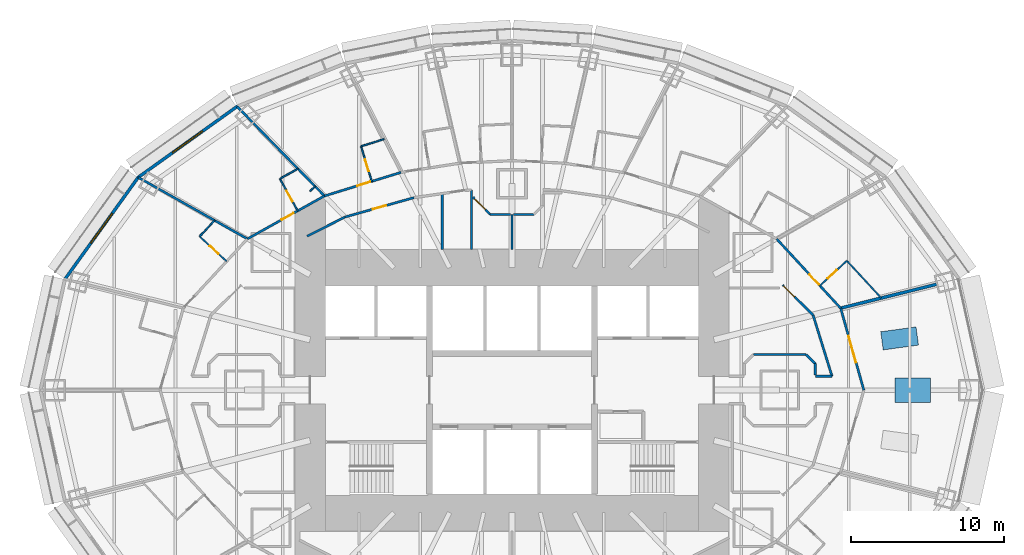
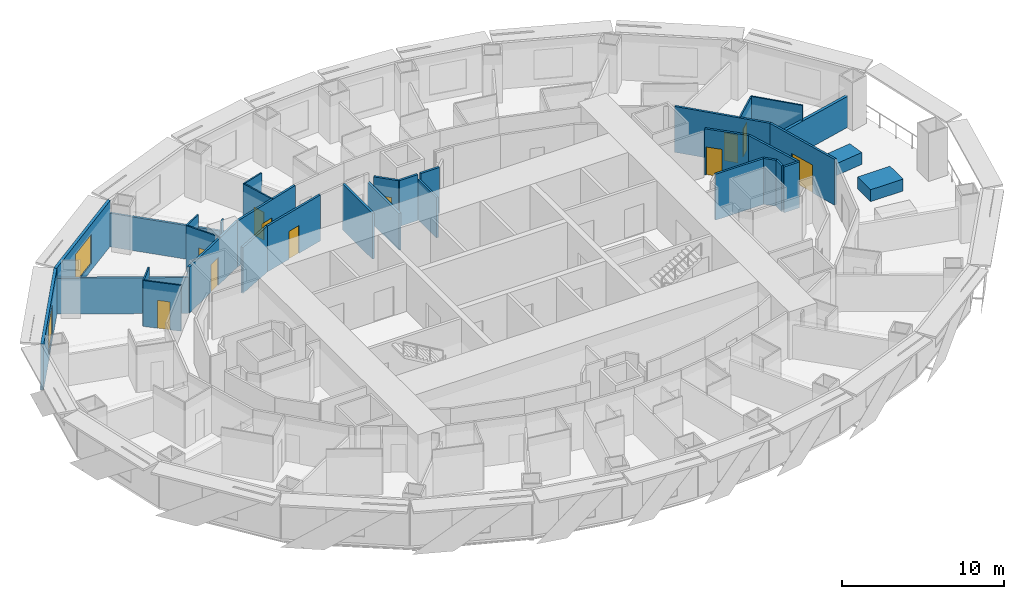
# One storey, part 9 of 17: 34 walls, 11 doors, 2 windows, 13 openings.
"""IFC4 building model written with IfcOpenShell, lengths in metres."""

from ifc_helpers import new_model, si_unit, direction, frame, frame_2d, origin, place, context, subcontext, project, spatial, rectangle, extrude, material, layer, layer_set, type_object, element, fill, save


model = new_model("IFC4")

# Units and contexts
model_context = context("Model", 3, precision=1e-05, world=origin(), true_north=direction((0.0, 1.0)))
body_context = subcontext(model_context, "Body", "Model", "MODEL_VIEW")
ifc_project = project(units=[si_unit("LENGTHUNIT", "METRE"), si_unit("AREAUNIT", "SQUARE_METRE"), si_unit("VOLUMEUNIT", "CUBIC_METRE"), si_unit("PLANEANGLEUNIT", "RADIAN"), si_unit("MASSUNIT", "GRAM", prefix="KILO")], contexts=[model_context])

# Site, building, storey
site_placement = place(None, origin())
site = spatial("IfcSite", under=ifc_project, at=site_placement, CompositionType="ELEMENT")
building_placement = place(site_placement, origin())
building = spatial("IfcBuilding", under=site, at=building_placement, Name="Lantaw Convention Tower", CompositionType="ELEMENT")
storey_placement = place(building_placement, frame((0.0, 0.0, 69.39990234375)))
storey = spatial("IfcBuildingStorey", under=building, at=storey_placement, Name="L15", CompositionType="ELEMENT", Elevation=69.39990234375)

# Walls
ifc_material_1 = material(Name="Gypsum board on steel studs", Category="steel")
ifc_layer_1 = layer(ifc_material_1, 0.14990234375)
ifc_layer_set_1 = layer_set([ifc_layer_1], Name="Back of house wall 150")
wall_type_1 = type_object("IfcWallType", Name="Back of house wall 150", PredefinedType="PARTITIONING", material=ifc_layer_set_1)
wall_1_placement = place(storey_placement, frame((0.0, 9.199951171875, 0.0), z_axis=(0.0, 0.0, 1.0), x_axis=(0.0, 1.0, 0.0)))
element("IfcWall", 1, at=wall_1_placement, inside=storey, type_object=wall_type_1, Name="Back of house wall 150", PredefinedType="PARTITIONING", context=body_context, shape_type="SweptSolid", body=[
    extrude(rectangle(XDim=2.26513671875, YDim=0.14990234375, at=frame_2d((1.132568359375, 0.0))), origin(), (0.0, 0.0, 1.0), 3.043701171875),
])
for number, where, z_axis, x_axis, name in (
    (2, (1.424560546875, 11.47509765625, 0.0), (0.0, 0.0, 1.0), (-1.0, 0.0, 0.0), "Back of house wall 150"),
    (3, (-0.103271484375, 11.47509765625, 0.0), (0.0, 0.0, 1.0), (-1.0, 0.0, 0.0), "Back of house wall 150"),
):
    element("IfcWall", number, at=place(storey_placement, frame(where, z_axis=z_axis, x_axis=x_axis)), inside=storey, type_object=wall_type_1, Name=name, PredefinedType="PARTITIONING", context=body_context, shape_type="SweptSolid", body=[
        extrude(rectangle(XDim=1.3212890625, YDim=0.14990234375, at=frame_2d((0.66064453125, 0.0))), origin(), (0.0, 0.0, 1.0), 3.4501953125),
    ])

# Wall, opening, door
ifc_material_2 = material(Name="Moisture resistant gypsum board on steel studs", Category="steel")
ifc_layer_2 = layer(ifc_material_2, 0.10009765625)
ifc_layer_set_2 = layer_set([ifc_layer_2], Name="Bathroom wall 100")
wall_type_2 = type_object("IfcWallType", Name="Bathroom wall 100", PredefinedType="PARTITIONING", material=ifc_layer_set_2)
wall_2_placement = place(storey_placement, frame((20.126220703125, 6.825439453125, 0.0), z_axis=(0.0, 0.0, 1.0), x_axis=(0.73447964986, 0.678630712495, 0.0)))
wall_2 = element("IfcWall", 4, at=wall_2_placement, inside=storey, type_object=wall_type_2, Name="Bathroom wall 100", PredefinedType="PARTITIONING", context=body_context, shape_type="SweptSolid", body=[
    extrude(rectangle(XDim=2.39990234375, YDim=0.10009765625, at=frame_2d((1.199951171875, 0.0))), origin(), (0.0, 0.0, 1.0), 3.4501953125),
])
opening_1_placement = place(wall_2_placement, frame((0.699951171875, 0.0, 0.0)))
opening_1 = element("IfcOpeningElement", 5, at=opening_1_placement, cuts=wall_2, Name="Opening L15.25", PredefinedType="OPENING", context=body_context, shape_type="SweptSolid", body=[
    extrude(rectangle(XDim=0.800048828125, YDim=2.10009765625, at=frame_2d((0.39990234375, 1.050048828125))), frame((0.0, 0.06005859375, 0.0), z_axis=(0.0, -1.0, 0.0), x_axis=(1.0, 0.0, 0.0)), (0.0, 0.0, 1.0), 0.1201171875),
])
ifc_material_3 = material(Name="Timber", Category="wood")
door_type_1 = type_object("IfcDoorType", Name="Bathroom door 800", OperationType="SINGLE_SWING_LEFT", PredefinedType="DOOR", material=ifc_material_3)
door_1_placement = place(opening_1_placement, origin())
door_1 = element("IfcDoor", 6, at=door_1_placement, inside=storey, type_object=door_type_1, Name="Bathroom door", OperationType="SINGLE_SWING_LEFT", OverallHeight=2.10009765625, OverallWidth=0.800048828125, PredefinedType="DOOR", context=body_context, shape_type="SweptSolid", body=[
    extrude(rectangle(XDim=0.800048828125, YDim=2.10009765625, at=frame_2d((0.39990234375, 1.050048828125))), frame((0.0, 0.02490234375, 0.0), z_axis=(0.0, -1.0, 0.0), x_axis=(1.0, 0.0, 0.0)), (0.0, 0.0, 1.0), 0.050048828125),
])
fill(opening_1, door_1)

# Wall
wall_3_placement = place(storey_placement, frame((21.888916015625, 8.4541015625, 0.0), z_axis=(0.0, 0.0, 1.0), x_axis=(0.678653067823, -0.734458993773, 0.0)))
element("IfcWall", 7, at=wall_3_placement, inside=storey, type_object=wall_type_2, Name="Bathroom wall 100", PredefinedType="PARTITIONING", context=body_context, shape_type="SweptSolid", body=[
    extrude(rectangle(XDim=3.316162109375, YDim=0.10009765625, at=frame_2d((1.658203125, 0.0))), origin(), (0.0, 0.0, 1.0), 3.4501953125),
])

# Wall, opening, door
wall_4_placement = place(storey_placement, frame((-9.164306640625, 13.645751953125, 0.0), z_axis=(0.0, 0.0, 1.0), x_axis=(-0.294507586191, 0.955649141514, 0.0)))
wall_4 = element("IfcWall", 8, at=wall_4_placement, inside=storey, type_object=wall_type_2, Name="Bathroom wall 100", PredefinedType="PARTITIONING", context=body_context, shape_type="SweptSolid", body=[
    extrude(rectangle(XDim=2.39990234375, YDim=0.10009765625, at=frame_2d((1.199951171875, 0.0))), origin(), (0.0, 0.0, 1.0), 3.4501953125),
])
opening_2_placement = place(wall_4_placement, frame((0.699951171875, 0.0, 0.0)))
opening_2 = element("IfcOpeningElement", 9, at=opening_2_placement, cuts=wall_4, Name="Opening L15.39", PredefinedType="OPENING", context=body_context, shape_type="SweptSolid", body=[
    extrude(rectangle(XDim=0.800048828125, YDim=2.10009765625, at=frame_2d((0.39990234375, 1.050048828125))), frame((0.0, 0.06005859375, 0.0), z_axis=(0.0, -1.0, 0.0), x_axis=(1.0, 0.0, 0.0)), (0.0, 0.0, 1.0), 0.1201171875),
])
door_2_placement = place(opening_2_placement, origin())
door_2 = element("IfcDoor", 10, at=door_2_placement, inside=storey, type_object=door_type_1, Name="Bathroom door", OperationType="SINGLE_SWING_LEFT", OverallHeight=2.10009765625, OverallWidth=0.800048828125, PredefinedType="DOOR", context=body_context, shape_type="SweptSolid", body=[
    extrude(rectangle(XDim=0.800048828125, YDim=2.10009765625, at=frame_2d((0.39990234375, 1.050048828125))), frame((0.0, 0.02490234375, 0.0), z_axis=(0.0, -1.0, 0.0), x_axis=(1.0, 0.0, 0.0)), (0.0, 0.0, 1.0), 0.050048828125),
])
fill(opening_2, door_2)

# Wall
wall_5_placement = place(storey_placement, frame((-9.87109375, 15.939208984375, 0.0), z_axis=(0.0, 0.0, 1.0), x_axis=(0.955642133669, 0.29453032502, 0.0)))
element("IfcWall", 11, at=wall_5_placement, inside=storey, type_object=wall_type_2, Name="Bathroom wall 100", PredefinedType="PARTITIONING", context=body_context, shape_type="SweptSolid", body=[
    extrude(rectangle(XDim=1.58251953125, YDim=0.10009765625, at=frame_2d((0.791259765625, 0.0))), origin(), (0.0, 0.0, 1.0), 3.4501953125),
])

# Wall, opening, door
wall_6_placement = place(storey_placement, frame((-14.00439453125, 11.719482421875, 0.0), z_axis=(0.0, 0.0, 1.0), x_axis=(-0.486445964861, 0.873710663361, 0.0)))
wall_6 = element("IfcWall", 12, at=wall_6_placement, inside=storey, type_object=wall_type_2, Name="Bathroom wall 100", PredefinedType="PARTITIONING", context=body_context, shape_type="SweptSolid", body=[
    extrude(rectangle(XDim=2.39990234375, YDim=0.10009765625, at=frame_2d((1.199951171875, 0.0))), origin(), (0.0, 0.0, 1.0), 3.4501953125),
])
opening_3_placement = place(wall_6_placement, frame((0.699951171875, 0.0, 0.0)))
opening_3 = element("IfcOpeningElement", 13, at=opening_3_placement, cuts=wall_6, Name="Opening L15.41", PredefinedType="OPENING", context=body_context, shape_type="SweptSolid", body=[
    extrude(rectangle(XDim=0.800048828125, YDim=2.10009765625, at=frame_2d((0.39990234375, 1.050048828125))), frame((0.0, 0.06005859375, 0.0), z_axis=(0.0, -1.0, 0.0), x_axis=(1.0, 0.0, 0.0)), (0.0, 0.0, 1.0), 0.1201171875),
])
door_3_placement = place(opening_3_placement, origin())
door_3 = element("IfcDoor", 14, at=door_3_placement, inside=storey, type_object=door_type_1, Name="Bathroom door", OperationType="SINGLE_SWING_LEFT", OverallHeight=2.10009765625, OverallWidth=0.800048828125, PredefinedType="DOOR", context=body_context, shape_type="SweptSolid", body=[
    extrude(rectangle(XDim=0.800048828125, YDim=2.10009765625, at=frame_2d((0.39990234375, 1.050048828125))), frame((0.0, 0.02490234375, 0.0), z_axis=(0.0, -1.0, 0.0), x_axis=(1.0, 0.0, 0.0)), (0.0, 0.0, 1.0), 0.050048828125),
])
fill(opening_3, door_3)

# Wall
wall_7_placement = place(storey_placement, frame((-15.171875, 13.81640625, 0.0), z_axis=(0.0, 0.0, 1.0), x_axis=(0.873640924532, 0.486571202377, 0.0)))
element("IfcWall", 15, at=wall_7_placement, inside=storey, type_object=wall_type_2, Name="Bathroom wall 100", PredefinedType="PARTITIONING", context=body_context, shape_type="SweptSolid", body=[
    extrude(rectangle(XDim=1.36181640625, YDim=0.10009765625, at=frame_2d((0.680908203125, 0.0))), origin(), (0.0, 0.0, 1.0), 3.4501953125),
])

# Wall, opening, door
wall_8_placement = place(storey_placement, frame((-18.65625, 8.416259765625, 0.0), z_axis=(0.0, 0.0, 1.0), x_axis=(-0.73447964986, 0.678630712495, 0.0)))
wall_8 = element("IfcWall", 16, at=wall_8_placement, inside=storey, type_object=wall_type_2, Name="Bathroom wall 100", PredefinedType="PARTITIONING", context=body_context, shape_type="SweptSolid", body=[
    extrude(rectangle(XDim=2.39990234375, YDim=0.10009765625, at=frame_2d((1.199951171875, 0.0))), origin(), (0.0, 0.0, 1.0), 3.4501953125),
])
opening_4_placement = place(wall_8_placement, frame((0.699951171875, 0.0, 0.0)))
opening_4 = element("IfcOpeningElement", 17, at=opening_4_placement, cuts=wall_8, Name="Opening L15.43", PredefinedType="OPENING", context=body_context, shape_type="SweptSolid", body=[
    extrude(rectangle(XDim=0.800048828125, YDim=2.10009765625, at=frame_2d((0.39990234375, 1.050048828125))), frame((0.0, 0.06005859375, 0.0), z_axis=(0.0, -1.0, 0.0), x_axis=(1.0, 0.0, 0.0)), (0.0, 0.0, 1.0), 0.1201171875),
])
door_4_placement = place(opening_4_placement, origin())
door_4 = element("IfcDoor", 18, at=door_4_placement, inside=storey, type_object=door_type_1, Name="Bathroom door", OperationType="SINGLE_SWING_LEFT", OverallHeight=2.10009765625, OverallWidth=0.800048828125, PredefinedType="DOOR", context=body_context, shape_type="SweptSolid", body=[
    extrude(rectangle(XDim=0.800048828125, YDim=2.10009765625, at=frame_2d((0.39990234375, 1.050048828125))), frame((0.0, 0.02490234375, 0.0), z_axis=(0.0, -1.0, 0.0), x_axis=(1.0, 0.0, 0.0)), (0.0, 0.0, 1.0), 0.050048828125),
])
fill(opening_4, door_4)

# Wall
wall_9_placement = place(storey_placement, frame((-20.4189453125, 10.044921875, 0.0), z_axis=(0.0, 0.0, 1.0), x_axis=(0.67861657312, 0.734492713842, 0.0)))
element("IfcWall", 19, at=wall_9_placement, inside=storey, type_object=wall_type_2, Name="Bathroom wall 100", PredefinedType="PARTITIONING", context=body_context, shape_type="SweptSolid", body=[
    extrude(rectangle(XDim=1.4462890625, YDim=0.10009765625, at=frame_2d((0.72314453125, 0.0))), origin(), (0.0, 0.0, 1.0), 3.4501953125),
])

# Wall, opening, door
ifc_material_4 = material(Name="Gypsum board on steel studs, fire rated", Category="steel")
ifc_layer_3 = layer(ifc_material_4, 0.14990234375)
ifc_layer_set_3 = layer_set([ifc_layer_3], Name="Corridor wall 150 EI 60")
wall_type_3 = type_object("IfcWallType", Name="Corridor wall 150 EI 60", PredefinedType="PARTITIONING", material=ifc_layer_set_3)
wall_10_placement = place(storey_placement, frame((21.483642578125, 5.3564453125, 0.0), z_axis=(0.0, 0.0, 1.0), x_axis=(-0.678641806296, 0.734469399463, 0.0)))
wall_10 = element("IfcWall", 20, at=wall_10_placement, inside=storey, type_object=wall_type_3, Name="Corridor wall 150", PredefinedType="PARTITIONING", context=body_context, shape_type="SweptSolid", body=[
    extrude(rectangle(XDim=6.166015625, YDim=0.14990234375, at=frame_2d((3.0830078125, 0.0))), origin(), (0.0, 0.0, 1.0), 3.4501953125),
])
opening_5_placement = place(wall_10_placement, frame((2.10009765625, 0.0, 0.0)))
opening_5 = element("IfcOpeningElement", 21, at=opening_5_placement, cuts=wall_10, Name="Opening L15.26", PredefinedType="OPENING", context=body_context, shape_type="SweptSolid", body=[
    extrude(rectangle(XDim=0.89990234375, YDim=2.10009765625, at=frame_2d((0.449951171875, 1.050048828125))), frame((0.0, 0.0849609375, 0.0), z_axis=(0.0, -1.0, 0.0), x_axis=(1.0, 0.0, 0.0)), (0.0, 0.0, 1.0), 0.169921875),
])
ifc_material_5 = material(Name="Steel, fire rated", Category="steel")
door_type_2 = type_object("IfcDoorType", Name="Guest room entrance door FD30S", OperationType="SINGLE_SWING_LEFT", PredefinedType="DOOR", material=ifc_material_5)
door_5_placement = place(opening_5_placement, origin())
door_5 = element("IfcDoor", 22, at=door_5_placement, inside=storey, type_object=door_type_2, Name="Guest room entrance door", OperationType="SINGLE_SWING_LEFT", OverallHeight=2.10009765625, OverallWidth=0.89990234375, PredefinedType="DOOR", context=body_context, shape_type="SweptSolid", body=[
    extrude(rectangle(XDim=0.89990234375, YDim=2.10009765625, at=frame_2d((0.449951171875, 1.050048828125))), frame((0.0, 0.02490234375, 0.0), z_axis=(0.0, -1.0, 0.0), x_axis=(1.0, 0.0, 0.0)), (0.0, 0.0, 1.0), 0.050048828125),
])
fill(opening_5, door_5)

wall_11_placement = place(storey_placement, frame((-7.2529296875, 14.234619140625, 0.0), z_axis=(0.0, 0.0, 1.0), x_axis=(-0.955657956744, -0.294478980085, 0.0)))
wall_11 = element("IfcWall", 23, at=wall_11_placement, inside=storey, type_object=wall_type_3, Name="Corridor wall 150", PredefinedType="PARTITIONING", context=body_context, shape_type="SweptSolid", body=[
    extrude(rectangle(XDim=5.236328125, YDim=0.14990234375, at=frame_2d((2.6181640625, 0.0))), origin(), (0.0, 0.0, 1.0), 3.4501953125),
])
opening_6_placement = place(wall_11_placement, frame((2.10009765625, 0.0, 0.0)))
opening_6 = element("IfcOpeningElement", 24, at=opening_6_placement, cuts=wall_11, Name="Opening L15.40", PredefinedType="OPENING", context=body_context, shape_type="SweptSolid", body=[
    extrude(rectangle(XDim=0.89990234375, YDim=2.10009765625, at=frame_2d((0.449951171875, 1.050048828125))), frame((0.0, 0.0849609375, 0.0), z_axis=(0.0, -1.0, 0.0), x_axis=(1.0, 0.0, 0.0)), (0.0, 0.0, 1.0), 0.169921875),
])
door_6_placement = place(opening_6_placement, origin())
door_6 = element("IfcDoor", 25, at=door_6_placement, inside=storey, type_object=door_type_2, Name="Guest room entrance door", OperationType="SINGLE_SWING_LEFT", OverallHeight=2.10009765625, OverallWidth=0.89990234375, PredefinedType="DOOR", context=body_context, shape_type="SweptSolid", body=[
    extrude(rectangle(XDim=0.89990234375, YDim=2.10009765625, at=frame_2d((0.449951171875, 1.050048828125))), frame((0.0, 0.02490234375, 0.0), z_axis=(0.0, -1.0, 0.0), x_axis=(1.0, 0.0, 0.0)), (0.0, 0.0, 1.0), 0.050048828125),
])
fill(opening_6, door_6)

wall_12_placement = place(storey_placement, frame((-12.257080078125, 12.692626953125, 0.0), z_axis=(0.0, 0.0, 1.0), x_axis=(-0.873695910579, -0.486472461541, 0.0)))
wall_12 = element("IfcWall", 26, at=wall_12_placement, inside=storey, type_object=wall_type_3, Name="Corridor wall 150", PredefinedType="PARTITIONING", context=body_context, shape_type="SweptSolid", body=[
    extrude(rectangle(XDim=5.77099609375, YDim=0.14990234375, at=frame_2d((2.885498046875, 0.0))), origin(), (0.0, 0.0, 1.0), 3.4501953125),
])
opening_7_placement = place(wall_12_placement, frame((2.306396484375, 0.0, 0.0)))
opening_7 = element("IfcOpeningElement", 27, at=opening_7_placement, cuts=wall_12, Name="Opening L15.42", PredefinedType="OPENING", context=body_context, shape_type="SweptSolid", body=[
    extrude(rectangle(XDim=0.89990234375, YDim=2.10009765625, at=frame_2d((0.449951171875, 1.050048828125))), frame((0.0, 0.0849609375, 0.0), z_axis=(0.0, -1.0, 0.0), x_axis=(1.0, 0.0, 0.0)), (0.0, 0.0, 1.0), 0.169921875),
])
door_7_placement = place(opening_7_placement, origin())
door_7 = element("IfcDoor", 28, at=door_7_placement, inside=storey, type_object=door_type_2, Name="Guest room entrance door", OperationType="SINGLE_SWING_LEFT", OverallHeight=2.10009765625, OverallWidth=0.89990234375, PredefinedType="DOOR", context=body_context, shape_type="SweptSolid", body=[
    extrude(rectangle(XDim=0.89990234375, YDim=2.10009765625, at=frame_2d((0.449951171875, 1.050048828125))), frame((0.0, 0.02490234375, 0.0), z_axis=(0.0, -1.0, 0.0), x_axis=(1.0, 0.0, 0.0)), (0.0, 0.0, 1.0), 0.050048828125),
])
fill(opening_7, door_7)

# Wall
wall_13_placement = place(storey_placement, frame((20.92138671875, 0.89990234375, 0.0), z_axis=(0.0, 0.0, 1.0), x_axis=(-0.295778570807, 0.955256529447, 0.0)))
element("IfcWall", 29, at=wall_13_placement, inside=storey, type_object=wall_type_3, Name="Corridor wall 150", PredefinedType="PARTITIONING", context=body_context, shape_type="SweptSolid", body=[
    extrude(rectangle(XDim=4.19482421875, YDim=0.14990234375, at=frame_2d((2.097412109375, 0.0))), origin(), (0.0, 0.0, 1.0), 3.4501953125),
])

# Wall, opening, door
wall_14_placement = place(storey_placement, frame((-6.410888671875, 12.58203125, 0.0), z_axis=(0.0, 0.0, 1.0), x_axis=(-0.962643729928, -0.270771211967, 0.0)))
wall_14 = element("IfcWall", 30, at=wall_14_placement, inside=storey, type_object=wall_type_3, Name="Corridor wall 150", PredefinedType="PARTITIONING", context=body_context, shape_type="SweptSolid", body=[
    extrude(rectangle(XDim=4.6884765625, YDim=0.14990234375, at=frame_2d((2.34423828125, 0.0))), origin(), (0.0, 0.0, 1.0), 3.4501953125),
])
opening_8_placement = place(wall_14_placement, frame((1.894287109375, 0.0, 0.0)))
opening_8 = element("IfcOpeningElement", 31, at=opening_8_placement, cuts=wall_14, Name="Opening L15.19", PredefinedType="OPENING", context=body_context, shape_type="SweptSolid", body=[
    extrude(rectangle(XDim=0.89990234375, YDim=2.10009765625, at=frame_2d((0.449951171875, 1.050048828125))), frame((0.0, 0.0849609375, 0.0), z_axis=(0.0, -1.0, 0.0), x_axis=(1.0, 0.0, 0.0)), (0.0, 0.0, 1.0), 0.169921875),
])
door_type_3 = type_object("IfcDoorType", Name="Service door 900 FD30", OperationType="SINGLE_SWING_LEFT", PredefinedType="DOOR", material=ifc_material_5)
door_8_placement = place(opening_8_placement, origin())
door_8 = element("IfcDoor", 32, at=door_8_placement, inside=storey, type_object=door_type_3, Name="Housekeeping store door", OperationType="SINGLE_SWING_LEFT", OverallHeight=2.10009765625, OverallWidth=0.89990234375, PredefinedType="DOOR", context=body_context, shape_type="SweptSolid", body=[
    extrude(rectangle(XDim=0.89990234375, YDim=2.10009765625, at=frame_2d((0.449951171875, 1.050048828125))), frame((0.0, 0.02490234375, 0.0), z_axis=(0.0, -1.0, 0.0), x_axis=(1.0, 0.0, 0.0)), (0.0, 0.0, 1.0), 0.050048828125),
])
fill(opening_8, door_8)

# Wall
wall_15_placement = place(storey_placement, frame((-10.92431640625, 11.3125, 0.0), z_axis=(0.0, 0.0, 1.0), x_axis=(-0.891388152271, -0.453240732935, 0.0)))
element("IfcWall", 33, at=wall_15_placement, inside=storey, type_object=wall_type_3, Name="Corridor wall 150", PredefinedType="PARTITIONING", context=body_context, shape_type="SweptSolid", body=[
    extrude(rectangle(XDim=2.76611328125, YDim=0.14990234375, at=frame_2d((1.383056640625, 0.0))), origin(), (0.0, 0.0, 1.0), 3.4501953125),
])

# Wall, opening, door
wall_16_placement = place(storey_placement, frame((-1.424560546875, 11.47509765625, 0.0), z_axis=(0.0, 0.0, 1.0), x_axis=(-0.701810897552, 0.71236329501, 0.0)))
wall_16 = element("IfcWall", 34, at=wall_16_placement, inside=storey, type_object=wall_type_3, Name="Corridor wall 150", PredefinedType="PARTITIONING", context=body_context, shape_type="SweptSolid", body=[
    extrude(rectangle(XDim=1.596435546875, YDim=0.14990234375, at=frame_2d((0.79833984375, 0.0))), origin(), (0.0, 0.0, 1.0), 3.4501953125),
])
opening_9_placement = place(wall_16_placement, frame((0.449951171875, 0.0, 0.0)))
opening_9 = element("IfcOpeningElement", 35, at=opening_9_placement, cuts=wall_16, Name="Opening L15.17", PredefinedType="OPENING", context=body_context, shape_type="SweptSolid", body=[
    extrude(rectangle(XDim=1.0, YDim=2.10009765625, at=frame_2d((0.5, 1.050048828125))), frame((0.0, 0.0849609375, 0.0), z_axis=(0.0, -1.0, 0.0), x_axis=(1.0, 0.0, 0.0)), (0.0, 0.0, 1.0), 0.169921875),
])
door_type_4 = type_object("IfcDoorType", Name="Accessible WC door 1000 FD30", OperationType="SINGLE_SWING_LEFT", PredefinedType="DOOR", material=ifc_material_5)
door_9_placement = place(opening_9_placement, origin())
door_9 = element("IfcDoor", 36, at=door_9_placement, inside=storey, type_object=door_type_4, Name="Accessible WC door", OperationType="SINGLE_SWING_LEFT", OverallHeight=2.10009765625, OverallWidth=1.0, PredefinedType="DOOR", context=body_context, shape_type="SweptSolid", body=[
    extrude(rectangle(XDim=1.0, YDim=2.10009765625, at=frame_2d((0.5, 1.050048828125))), frame((0.0, 0.02490234375, 0.0), z_axis=(0.0, -1.0, 0.0), x_axis=(1.0, 0.0, 0.0)), (0.0, 0.0, 1.0), 0.050048828125),
])
fill(opening_9, door_9)

wall_17_placement = place(storey_placement, frame((19.6806640625, 4.906982421875, 0.0), z_axis=(0.0, 0.0, 1.0), x_axis=(-0.710845937688, 0.70334774676, 0.0)))
wall_17 = element("IfcWall", 37, at=wall_17_placement, inside=storey, type_object=wall_type_3, Name="Corridor wall 150", PredefinedType="PARTITIONING", context=body_context, shape_type="SweptSolid", body=[
    extrude(rectangle(XDim=2.800048828125, YDim=0.14990234375, at=frame_2d((1.39990234375, 0.0))), origin(), (0.0, 0.0, 1.0), 3.4501953125),
])
opening_10_placement = place(wall_17_placement, frame((1.699951171875, 0.0, 0.0)))
opening_10 = element("IfcOpeningElement", 38, at=opening_10_placement, cuts=wall_17, Name="Opening L15.16", PredefinedType="OPENING", context=body_context, shape_type="SweptSolid", body=[
    extrude(rectangle(XDim=1.0, YDim=2.10009765625, at=frame_2d((0.5, 1.050048828125))), frame((0.0, 0.0849609375, 0.0), z_axis=(0.0, -1.0, 0.0), x_axis=(1.0, 0.0, 0.0)), (0.0, 0.0, 1.0), 0.169921875),
])
door_type_5 = type_object("IfcDoorType", Name="Service door 1000 FD30", OperationType="SINGLE_SWING_LEFT", PredefinedType="DOOR", material=ifc_material_5)
door_10_placement = place(opening_10_placement, origin())
door_10 = element("IfcDoor", 39, at=door_10_placement, inside=storey, type_object=door_type_5, Name="Linen store door", OperationType="SINGLE_SWING_LEFT", OverallHeight=2.10009765625, OverallWidth=1.0, PredefinedType="DOOR", context=body_context, shape_type="SweptSolid", body=[
    extrude(rectangle(XDim=1.0, YDim=2.10009765625, at=frame_2d((0.5, 1.050048828125))), frame((0.0, 0.02490234375, 0.0), z_axis=(0.0, -1.0, 0.0), x_axis=(1.0, 0.0, 0.0)), (0.0, 0.0, 1.0), 0.050048828125),
])
fill(opening_10, door_10)

# Walls
wall_18_placement = place(storey_placement, frame((19.8349609375, 0.89990234375, 0.0), z_axis=(0.0, 0.0, 1.0), x_axis=(1.0, 0.0, 0.0)))
element("IfcWall", 40, at=wall_18_placement, inside=storey, type_object=wall_type_3, Name="Corridor wall 150", PredefinedType="PARTITIONING", context=body_context, shape_type="SweptSolid", body=[
    extrude(rectangle(XDim=1.08642578125, YDim=0.14990234375, at=frame_2d((0.543212890625, 0.0))), origin(), (0.0, 0.0, 1.0), 3.4501953125),
])
wall_19_placement = place(storey_placement, frame((15.775390625, 2.324951171875, 0.0), z_axis=(0.0, 0.0, 1.0), x_axis=(1.0, 0.0, 0.0)))
element("IfcWall", 41, at=wall_19_placement, inside=storey, type_object=wall_type_3, Name="Corridor wall 150", PredefinedType="PARTITIONING", context=body_context, shape_type="SweptSolid", body=[
    extrude(rectangle(XDim=3.44921875, YDim=0.14990234375, at=frame_2d((1.724609375, 0.0))), origin(), (0.0, 0.0, 1.0), 3.4501953125),
])
wall_20_placement = place(storey_placement, frame((19.224609375, 2.324951171875, 0.0), z_axis=(0.0, 0.0, 1.0), x_axis=(0.707106781187, -0.707106781187, 0.0)))
element("IfcWall", 42, at=wall_20_placement, inside=storey, type_object=wall_type_3, Name="Corridor wall 150", PredefinedType="PARTITIONING", context=body_context, shape_type="SweptSolid", body=[
    extrude(rectangle(XDim=0.84912109375, YDim=0.14990234375, at=frame_2d((0.424560546875, 0.0))), origin(), (0.0, 0.0, 1.0), 3.4501953125),
])
wall_21_placement = place(storey_placement, frame((19.824951171875, 1.724609375, 0.0), z_axis=(0.0, 0.0, 1.0), x_axis=(0.0, -1.0, 0.0)))
element("IfcWall", 43, at=wall_21_placement, inside=storey, type_object=wall_type_3, Name="Corridor wall 150", PredefinedType="PARTITIONING", context=body_context, shape_type="SweptSolid", body=[
    extrude(rectangle(XDim=0.721435546875, YDim=0.14990234375, at=frame_2d((0.36083984375, 0.0))), origin(), (0.0, 0.0, 1.0), 3.4501953125),
])

# Wall, opening, window
ifc_material_6 = material(Name="Insulated aluminium panel on steel frame", Category="steel")
ifc_layer_4 = layer(ifc_material_6, 0.199951171875)
ifc_layer_set_4 = layer_set([ifc_layer_4], Name="External wall 200")
wall_type_4 = type_object("IfcWallType", Name="External wall 200", PredefinedType="SOLIDWALL", material=ifc_layer_set_4)
wall_22_placement = place(storey_placement, frame((-17.9287109375, 18.57177734375, 0.0), z_axis=(0.0, 0.0, 1.0), x_axis=(-0.812791321576, -0.582554948112, 0.0)))
wall_22 = element("IfcWall", 44, at=wall_22_placement, inside=storey, type_object=wall_type_4, Name="Facade panel wall", PredefinedType="SOLIDWALL", context=body_context, shape_type="SweptSolid", body=[
    extrude(rectangle(XDim=8.063232421875, YDim=0.199951171875, at=frame_2d((4.03173828125, 0.0))), origin(), (0.0, 0.0, 1.0), 3.4501953125),
])
opening_11_placement = place(wall_22_placement, frame((2.83154296875, 0.0, 0.5)))
opening_11 = element("IfcOpeningElement", 45, at=opening_11_placement, cuts=wall_22, Name="Opening W1", PredefinedType="OPENING", context=body_context, shape_type="SweptSolid", body=[
    extrude(rectangle(XDim=2.39990234375, YDim=2.199951171875, at=frame_2d((1.199951171875, 1.10009765625))), frame((0.0, 0.10986328125, 0.0), z_axis=(0.0, -1.0, 0.0), x_axis=(1.0, 0.0, 0.0)), (0.0, 0.0, 1.0), 0.219970703125),
])
ifc_material_7 = material(Name="Aluminium frame, clear insulating glass", Category="aluminium")
window_type = type_object("IfcWindowType", Name="Guest room window 2400x2200", PartitioningType="SINGLE_PANEL", PredefinedType="WINDOW", material=ifc_material_7)
window_1_placement = place(opening_11_placement, origin())
window_1 = element("IfcWindow", 46, at=window_1_placement, inside=storey, type_object=window_type, Name="Guest room window", OverallHeight=2.199951171875, OverallWidth=2.39990234375, PartitioningType="SINGLE_PANEL", PredefinedType="WINDOW", context=body_context, shape_type="SweptSolid", body=[
    extrude(rectangle(XDim=2.39990234375, YDim=2.199951171875, at=frame_2d((1.199951171875, 1.10009765625))), frame((0.0, 0.030029296875, 0.0), z_axis=(0.0, -1.0, 0.0), x_axis=(1.0, 0.0, 0.0)), (0.0, 0.0, 1.0), 0.06005859375),
])
fill(opening_11, window_1)

wall_23_placement = place(storey_placement, frame((-24.400390625, 13.95654296875, 0.0), z_axis=(0.0, 0.0, 1.0), x_axis=(-0.583937613703, -0.811798536155, 0.0)))
wall_23 = element("IfcWall", 47, at=wall_23_placement, inside=storey, type_object=wall_type_4, Name="Facade panel wall", PredefinedType="SOLIDWALL", context=body_context, shape_type="SweptSolid", body=[
    extrude(rectangle(XDim=8.322998046875, YDim=0.199951171875, at=frame_2d((4.16162109375, 0.0))), origin(), (0.0, 0.0, 1.0), 3.4501953125),
])
opening_12_placement = place(wall_23_placement, frame((2.96142578125, 0.0, 0.5)))
opening_12 = element("IfcOpeningElement", 48, at=opening_12_placement, cuts=wall_23, Name="Opening W1", PredefinedType="OPENING", context=body_context, shape_type="SweptSolid", body=[
    extrude(rectangle(XDim=2.39990234375, YDim=2.199951171875, at=frame_2d((1.199951171875, 1.10009765625))), frame((0.0, 0.10986328125, 0.0), z_axis=(0.0, -1.0, 0.0), x_axis=(1.0, 0.0, 0.0)), (0.0, 0.0, 1.0), 0.219970703125),
])
window_2_placement = place(opening_12_placement, origin())
window_2 = element("IfcWindow", 49, at=window_2_placement, inside=storey, type_object=window_type, Name="Guest room window", OverallHeight=2.199951171875, OverallWidth=2.39990234375, PartitioningType="SINGLE_PANEL", PredefinedType="WINDOW", context=body_context, shape_type="SweptSolid", body=[
    extrude(rectangle(XDim=2.39990234375, YDim=2.199951171875, at=frame_2d((1.199951171875, 1.10009765625))), frame((0.0, 0.030029296875, 0.0), z_axis=(0.0, -1.0, 0.0), x_axis=(1.0, 0.0, 0.0)), (0.0, 0.0, 1.0), 0.06005859375),
])
fill(opening_12, window_2)

# Wall
wall_24_placement = place(storey_placement, frame((27.832763671875, 6.939453125, 0.0), z_axis=(0.0, 0.0, 1.0), x_axis=(-0.970295936837, -0.241921051083, 0.0)))
element("IfcWall", 50, at=wall_24_placement, inside=storey, type_object=wall_type_4, Name="External wall 200", PredefinedType="SOLIDWALL", context=body_context, shape_type="SweptSolid", body=[
    extrude(rectangle(XDim=6.54345703125, YDim=0.199951171875, at=frame_2d((3.271728515625, 0.0))), origin(), (0.0, 0.0, 1.0), 2.33251953125),
])

# Wall, opening, door
ifc_material_8 = material(Name="Aluminium framed glazing", Category="aluminium")
ifc_layer_5 = layer(ifc_material_8, 0.14990234375)
ifc_layer_set_5 = layer_set([ifc_layer_5], Name="Glazed garden screen 150")
wall_type_5 = type_object("IfcWallType", Name="Glazed garden screen 150", PredefinedType="ELEMENTEDWALL", material=ifc_layer_set_5)
wall_25_placement = place(storey_placement, frame((23.0, 0.0, 0.0), z_axis=(0.0, 0.0, 1.0), x_axis=(-0.272386051236, 0.962188047677, 0.0)))
wall_25 = element("IfcWall", 51, at=wall_25_placement, inside=storey, type_object=wall_type_5, Name="Glazed garden screen 150", PredefinedType="ELEMENTEDWALL", context=body_context, shape_type="SweptSolid", body=[
    extrude(rectangle(XDim=5.56689453125, YDim=0.14990234375, at=frame_2d((2.783447265625, 0.0))), origin(), (0.0, 0.0, 1.0), 3.4501953125),
])
opening_13_placement = place(wall_25_placement, frame((1.883544921875, 0.0, 0.0)))
opening_13 = element("IfcOpeningElement", 52, at=opening_13_placement, cuts=wall_25, Name="Opening L15.70", PredefinedType="OPENING", context=body_context, shape_type="SweptSolid", body=[
    extrude(rectangle(XDim=1.800048828125, YDim=2.10009765625, at=frame_2d((0.89990234375, 1.050048828125))), frame((0.0, 0.0849609375, 0.0), z_axis=(0.0, -1.0, 0.0), x_axis=(1.0, 0.0, 0.0)), (0.0, 0.0, 1.0), 0.169921875),
])
ifc_material_9 = material(Name="Aluminium and glass", Category="aluminium")
door_type_6 = type_object("IfcDoorType", Name="Garden door 1800", OperationType="DOUBLE_DOOR_DOUBLE_SWING", PredefinedType="DOOR", material=ifc_material_9)
door_11_placement = place(opening_13_placement, origin())
door_11 = element("IfcDoor", 53, at=door_11_placement, inside=storey, type_object=door_type_6, Name="Sky garden door", OperationType="DOUBLE_DOOR_DOUBLE_SWING", OverallHeight=2.10009765625, OverallWidth=1.800048828125, PredefinedType="DOOR", context=body_context, shape_type="SweptSolid", body=[
    extrude(rectangle(XDim=1.800048828125, YDim=2.10009765625, at=frame_2d((0.89990234375, 1.050048828125))), frame((0.0, 0.02490234375, 0.0), z_axis=(0.0, -1.0, 0.0), x_axis=(1.0, 0.0, 0.0)), (0.0, 0.0, 1.0), 0.050048828125),
])
fill(opening_13, door_11)

# Walls
ifc_material_10 = material(Name="Gypsum board on steel studs, acoustic", Category="steel")
ifc_layer_6 = layer(ifc_material_10, 0.14990234375)
ifc_layer_set_6 = layer_set([ifc_layer_6], Name="Guest room party wall 150")
wall_type_6 = type_object("IfcWallType", Name="Guest room party wall 150", PredefinedType="PARTITIONING", material=ifc_layer_set_6)
wall_26_placement = place(storey_placement, frame((-17.970458984375, 18.541748046875, 0.0), z_axis=(0.0, 0.0, 1.0), x_axis=(0.698757291878, -0.715358823981, 0.0)))
element("IfcWall", 54, at=wall_26_placement, inside=storey, type_object=wall_type_6, Name="Guest room party wall 150", PredefinedType="PARTITIONING", context=body_context, shape_type="SweptSolid", body=[
    extrude(rectangle(XDim=8.176513671875, YDim=0.14990234375, at=frame_2d((4.08837890625, 0.0))), origin(), (0.0, 0.0, 1.0), 2.528076171875),
])
wall_27_placement = place(storey_placement, frame((-24.434814453125, 13.90869140625, 0.0), z_axis=(0.0, 0.0, 1.0), x_axis=(0.871075246657, -0.491149584813, 0.0)))
element("IfcWall", 55, at=wall_27_placement, inside=storey, type_object=wall_type_6, Name="Guest room party wall 150", PredefinedType="PARTITIONING", context=body_context, shape_type="SweptSolid", body=[
    extrude(rectangle(XDim=8.19189453125, YDim=0.14990234375, at=frame_2d((4.095947265625, 0.0))), origin(), (0.0, 0.0, 1.0), 2.693115234375),
])
ifc_layer_7 = layer(ifc_material_10, 0.10009765625)
ifc_layer_set_7 = layer_set([ifc_layer_7], Name="Office partition 100")
wall_type_7 = type_object("IfcWallType", Name="Office partition 100", PredefinedType="PARTITIONING", material=ifc_layer_set_7)
wall_28_placement = place(storey_placement, frame((-13.199951171875, 13.0, 0.0), z_axis=(0.0, 0.0, 1.0), x_axis=(0.715289751842, 0.698827998087, 0.0)))
element("IfcWall", 56, at=wall_28_placement, inside=storey, type_object=wall_type_7, Name="Office partition 100", PredefinedType="PARTITIONING", context=body_context, shape_type="SweptSolid", body=[
    extrude(rectangle(XDim=0.459716796875, YDim=0.10009765625, at=frame_2d((0.22998046875, 0.0))), origin(), (0.0, 0.0, 1.0), 3.4501953125),
])
ifc_material_11 = material(Name="Precast concrete planter", Category="concrete")
ifc_layer_8 = layer(ifc_material_11, 1.199951171875)
ifc_layer_set_8 = layer_set([ifc_layer_8], Name="PLANTER box 1200x900")
wall_type_8 = type_object("IfcWallType", Name="PLANTER box 1200x900", PredefinedType="USERDEFINED", material=ifc_layer_set_8)
wall_29_placement = place(storey_placement, frame((24.184326171875, 3.221435546875, 0.0), z_axis=(0.0, 0.0, 1.0), x_axis=(0.99080909921, 0.13526761964, 0.0)))
element("IfcWall", 57, at=wall_29_placement, inside=storey, type_object=wall_type_8, Name="Tree PLANTER", ObjectType="PLANTER", PredefinedType="USERDEFINED", context=body_context, shape_type="SweptSolid", body=[
    extrude(rectangle(XDim=2.328369140625, YDim=1.199951171875, at=frame_2d((1.1640625, 0.0))), origin(), (0.0, 0.0, 1.0), 0.900146484375),
])
ifc_layer_9 = layer(ifc_material_11, 1.60009765625)
ifc_layer_set_9 = layer_set([ifc_layer_9], Name="PLANTER box 1600x900")
wall_type_9 = type_object("IfcWallType", Name="PLANTER box 1600x900", PredefinedType="USERDEFINED", material=ifc_layer_set_9)
wall_30_placement = place(storey_placement, frame((25.030029296875, 0.0, 0.0), z_axis=(0.0, 0.0, 1.0), x_axis=(1.0, 0.0, 0.0)))
element("IfcWall", 58, at=wall_30_placement, inside=storey, type_object=wall_type_9, Name="Tree PLANTER", ObjectType="PLANTER", PredefinedType="USERDEFINED", context=body_context, shape_type="SweptSolid", body=[
    extrude(rectangle(XDim=2.320068359375, YDim=1.60009765625, at=frame_2d((1.16015625, 0.0))), origin(), (0.0, 0.0, 1.0), 0.900146484375),
])
ifc_material_12 = material(Name="Concrete blockwork", Category="masonry")
ifc_layer_10 = layer(ifc_material_12, 0.14990234375)
ifc_layer_set_10 = layer_set([ifc_layer_10], Name="WC wall 150")
wall_type_10 = type_object("IfcWallType", Name="WC wall 150", PredefinedType="SOLIDWALL", material=ifc_layer_set_10)
wall_31_placement = place(storey_placement, frame((-2.64990234375, 9.199951171875, 0.0), z_axis=(0.0, 0.0, 1.0), x_axis=(0.0, 1.0, 0.0)))
element("IfcWall", 59, at=wall_31_placement, inside=storey, type_object=wall_type_10, Name="WC wall 150", PredefinedType="SOLIDWALL", context=body_context, shape_type="SweptSolid", body=[
    extrude(rectangle(XDim=3.882080078125, YDim=0.14990234375, at=frame_2d((1.94091796875, 0.0))), origin(), (0.0, 0.0, 1.0), 2.766845703125),
])
wall_32_placement = place(storey_placement, frame((-4.550048828125, 9.199951171875, 0.0), z_axis=(0.0, 0.0, 1.0), x_axis=(0.0, 1.0, 0.0)))
element("IfcWall", 60, at=wall_32_placement, inside=storey, type_object=wall_type_10, Name="WC wall 150", PredefinedType="SOLIDWALL", context=body_context, shape_type="SweptSolid", body=[
    extrude(rectangle(XDim=3.647216796875, YDim=0.14990234375, at=frame_2d((1.82373046875, 0.0))), origin(), (0.0, 0.0, 1.0), 3.4501953125),
])

save(model, "model.ifc")
